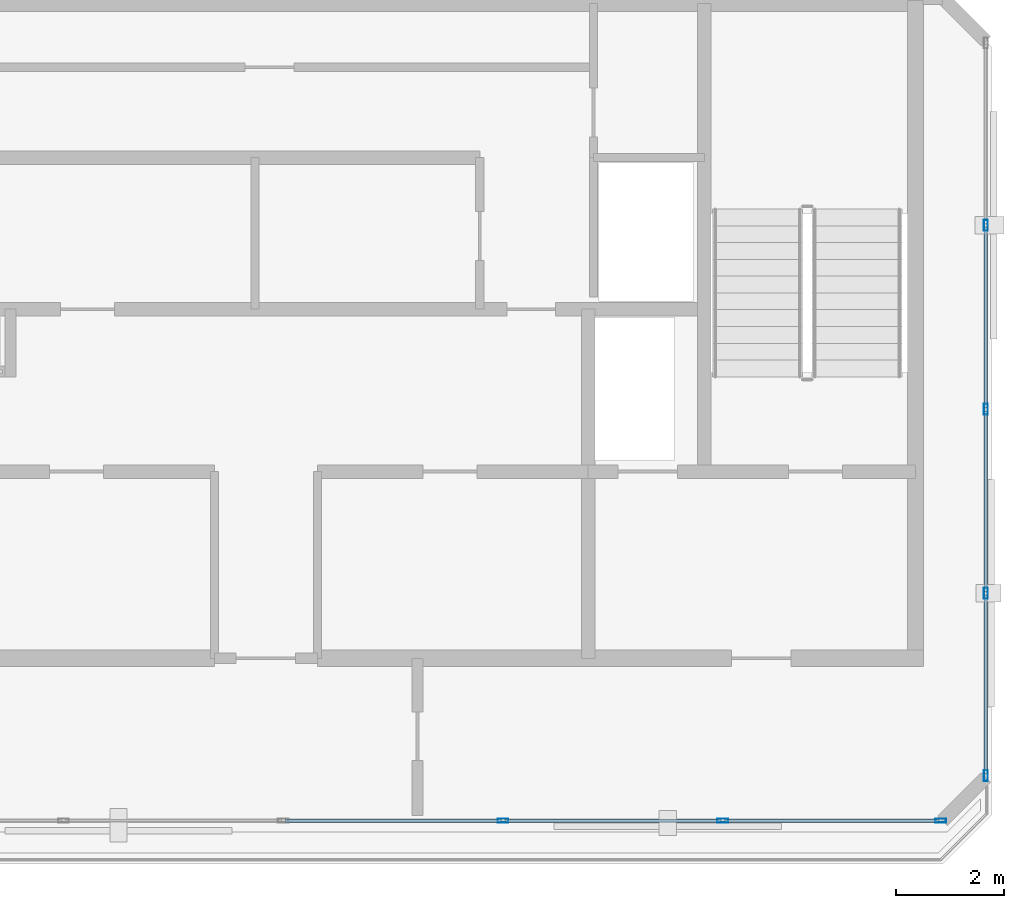
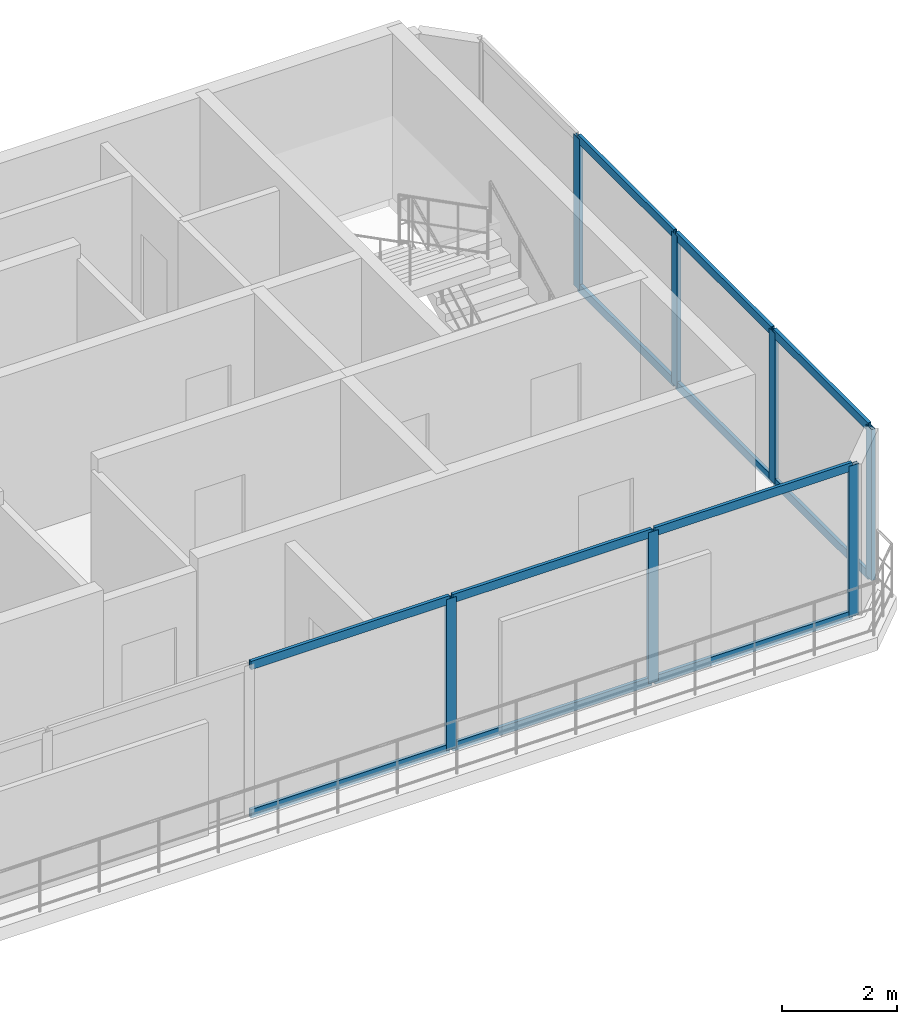
# One storey, part 3 of 7: 19 members, 2 elements without a shape of their own.
"""IFC4 building model written with IfcOpenShell, lengths in metres."""

from ifc_helpers import new_model, si_unit, direction, frame, origin, origin_2d, place, context, subcontext, project, spatial, hollow_rectangle, extrude, material, layer, layer_set, material_profile, profile_set, type_object, element, aggregate, save


model = new_model("IFC4")

# Units and contexts
model_context = context("Model", 3, precision=1e-05, world=origin(), true_north=direction((0.0, 1.0)))
body_context = subcontext(model_context, "Body", "Model", "MODEL_VIEW")
ifc_project = project(units=[si_unit("LENGTHUNIT", "METRE"), si_unit("AREAUNIT", "SQUARE_METRE"), si_unit("VOLUMEUNIT", "CUBIC_METRE"), si_unit("PLANEANGLEUNIT", "RADIAN"), si_unit("MASSUNIT", "GRAM", prefix="KILO")], contexts=[model_context])

# Site, building, storey
site_placement = place(None, origin())
site = spatial("IfcSite", under=ifc_project, at=site_placement, CompositionType="ELEMENT")
building_placement = place(site_placement, origin())
building = spatial("IfcBuilding", under=site, at=building_placement, Name="Catumbela Crestline Tower", CompositionType="ELEMENT")
storey_placement = place(building_placement, frame((0.0, 0.0, 311.5)))
storey = spatial("IfcBuildingStorey", under=building, at=storey_placement, Name="L80", CompositionType="ELEMENT", Elevation=311.5)

# Curtain wall, members
ifc_material = material(Name="Aluminium alloy AW-6060-T66", Category="aluminium")
ifc_layer = layer(ifc_material, 0.18, Name="Aluminium alloy AW-6060-T66")
ifc_layer_set = layer_set([ifc_layer], Name="Aluminium alloy AW-6060-T66")
curtain_wall_type = type_object("IfcCurtainWallType", Name="CWS-OBS", PredefinedType="USERDEFINED", material=ifc_layer_set)
curtain_wall_1_placement = place(storey_placement, origin())
curtain_wall_1 = element("IfcCurtainWall", 1, at=curtain_wall_1_placement, inside=storey, type_object=curtain_wall_type, Name="L80 Stick Curtain Wall CW-L80-E0S2", ObjectType="STICK", PredefinedType="USERDEFINED")
ifc_material_profile_1 = material_profile(ifc_material, hollow_rectangle(XDim=0.075, YDim=0.2, WallThickness=0.005, at=origin_2d()), Name="ALU 200x75x5")
ifc_profile_set_1 = profile_set([ifc_material_profile_1], Name="Aluminium alloy AW-6060-T66")
member_type_1 = type_object("IfcMemberType", Name="MUL-200X75", PredefinedType="MULLION", material=ifc_profile_set_1)
member_1_placement = place(storey_placement, frame((32.38, 27.8, 0.0), z_axis=(0.0, 0.0, 1.0), x_axis=(0.0, 1.0, 0.0)))
member_1 = element("IfcMember", 2, at=member_1_placement, type_object=member_type_1, Name="CWS-OBS mullion 4", PredefinedType="MULLION", context=body_context, shape_type="SweptSolid", body=[
    extrude(hollow_rectangle(XDim=0.075, YDim=0.2, WallThickness=0.005, at=origin_2d()), origin(), (0.0, 0.0, 1.0), 3.21),
])
member_2_placement = place(storey_placement, frame((36.44, 27.8, 0.0), z_axis=(0.0, 0.0, 1.0), x_axis=(0.0, 1.0, 0.0)))
member_2 = element("IfcMember", 3, at=member_2_placement, type_object=member_type_1, Name="CWS-OBS mullion 5", PredefinedType="MULLION", context=body_context, shape_type="SweptSolid", body=[
    extrude(hollow_rectangle(XDim=0.075, YDim=0.2, WallThickness=0.005, at=origin_2d()), origin(), (0.0, 0.0, 1.0), 3.21),
])
member_3_placement = place(storey_placement, frame((40.4675, 27.8, 0.0), z_axis=(0.0, 0.0, 1.0), x_axis=(0.0, 1.0, 0.0)))
member_3 = element("IfcMember", 4, at=member_3_placement, type_object=member_type_1, Name="CWS-OBS mullion 6", PredefinedType="MULLION", context=body_context, shape_type="SweptSolid", body=[
    extrude(hollow_rectangle(XDim=0.075, YDim=0.2, WallThickness=0.005, at=origin_2d()), origin(), (0.0, 0.0, 1.0), 3.21),
])

curtain_wall_2_placement = place(storey_placement, origin())
curtain_wall_2 = element("IfcCurtainWall", 5, at=curtain_wall_2_placement, inside=storey, type_object=curtain_wall_type, Name="L80 Stick Curtain Wall CW-L80-E2S1", ObjectType="STICK", PredefinedType="USERDEFINED")
member_4_placement = place(storey_placement, frame((41.3, 28.6325, 0.0), z_axis=(0.0, 0.0, 1.0), x_axis=(-1.0, 0.0, 0.0)))
member_4 = element("IfcMember", 6, at=member_4_placement, type_object=member_type_1, Name="CWS-OBS mullion 1", PredefinedType="MULLION", context=body_context, shape_type="SweptSolid", body=[
    extrude(hollow_rectangle(XDim=0.075, YDim=0.2, WallThickness=0.005, at=origin_2d()), origin(), (0.0, 0.0, 1.0), 3.21),
])
member_5_placement = place(storey_placement, frame((41.3, 32.0, 0.0), z_axis=(0.0, 0.0, 1.0), x_axis=(-1.0, 0.0, 0.0)))
member_5 = element("IfcMember", 7, at=member_5_placement, type_object=member_type_1, Name="CWS-OBS mullion 2", PredefinedType="MULLION", context=body_context, shape_type="SweptSolid", body=[
    extrude(hollow_rectangle(XDim=0.075, YDim=0.2, WallThickness=0.005, at=origin_2d()), origin(), (0.0, 0.0, 1.0), 3.21),
])
member_6_placement = place(storey_placement, frame((41.3, 35.4, 0.0), z_axis=(0.0, 0.0, 1.0), x_axis=(-1.0, 0.0, 0.0)))
member_6 = element("IfcMember", 8, at=member_6_placement, type_object=member_type_1, Name="CWS-OBS mullion 3", PredefinedType="MULLION", context=body_context, shape_type="SweptSolid", body=[
    extrude(hollow_rectangle(XDim=0.075, YDim=0.2, WallThickness=0.005, at=origin_2d()), origin(), (0.0, 0.0, 1.0), 3.21),
])
member_7_placement = place(storey_placement, frame((41.3, 38.8, 0.0), z_axis=(0.0, 0.0, 1.0), x_axis=(-1.0, 0.0, 0.0)))
member_7 = element("IfcMember", 9, at=member_7_placement, type_object=member_type_1, Name="CWS-OBS mullion 4", PredefinedType="MULLION", context=body_context, shape_type="SweptSolid", body=[
    extrude(hollow_rectangle(XDim=0.075, YDim=0.2, WallThickness=0.005, at=origin_2d()), origin(), (0.0, 0.0, 1.0), 3.21),
])

# Member
ifc_material_profile_2 = material_profile(ifc_material, hollow_rectangle(XDim=0.065, YDim=0.18, WallThickness=0.004, at=origin_2d()), Name="ALU 180x65x4")
ifc_profile_set_2 = profile_set([ifc_material_profile_2], Name="Aluminium alloy AW-6060-T66")
member_type_2 = type_object("IfcMemberType", Name="TRN-180X65", PredefinedType="USERDEFINED", material=ifc_profile_set_2)
member_8_placement = place(storey_placement, frame((28.3525, 27.8, 0.03), z_axis=(1.0, 0.0, 0.0), x_axis=(0.0, 1.0, 0.0)))
member_8 = element("IfcMember", 10, at=member_8_placement, type_object=member_type_2, Name="CWS-OBS transom 3.1", ObjectType="TRANSOM", PredefinedType="USERDEFINED", context=body_context, shape_type="SweptSolid", body=[
    extrude(hollow_rectangle(XDim=0.065, YDim=0.18, WallThickness=0.004, at=origin_2d()), origin(), (0.0, 0.0, 1.0), 3.995),
])

member_9_placement = place(storey_placement, frame((28.3525, 27.8, 3.18), z_axis=(1.0, 0.0, 0.0), x_axis=(0.0, 1.0, 0.0)))
member_9 = element("IfcMember", 11, at=member_9_placement, type_object=member_type_2, Name="CWS-OBS transom 3.2", ObjectType="TRANSOM", PredefinedType="USERDEFINED", context=body_context, shape_type="SweptSolid", body=[
    extrude(hollow_rectangle(XDim=0.065, YDim=0.18, WallThickness=0.004, at=origin_2d()), origin(), (0.0, 0.0, 1.0), 3.995),
])

member_10_placement = place(storey_placement, frame((32.4125, 27.8, 0.03), z_axis=(1.0, 0.0, 0.0), x_axis=(0.0, 1.0, 0.0)))
member_10 = element("IfcMember", 12, at=member_10_placement, type_object=member_type_2, Name="CWS-OBS transom 4.1", ObjectType="TRANSOM", PredefinedType="USERDEFINED", context=body_context, shape_type="SweptSolid", body=[
    extrude(hollow_rectangle(XDim=0.065, YDim=0.18, WallThickness=0.004, at=origin_2d()), origin(), (0.0, 0.0, 1.0), 3.995),
])

member_11_placement = place(storey_placement, frame((32.4125, 27.8, 3.18), z_axis=(1.0, 0.0, 0.0), x_axis=(0.0, 1.0, 0.0)))
member_11 = element("IfcMember", 13, at=member_11_placement, type_object=member_type_2, Name="CWS-OBS transom 4.2", ObjectType="TRANSOM", PredefinedType="USERDEFINED", context=body_context, shape_type="SweptSolid", body=[
    extrude(hollow_rectangle(XDim=0.065, YDim=0.18, WallThickness=0.004, at=origin_2d()), origin(), (0.0, 0.0, 1.0), 3.995),
])

member_12_placement = place(storey_placement, frame((36.4725, 27.8, 0.03), z_axis=(1.0, 0.0, 0.0), x_axis=(0.0, 1.0, 0.0)))
member_12 = element("IfcMember", 14, at=member_12_placement, type_object=member_type_2, Name="CWS-OBS transom 5.1", ObjectType="TRANSOM", PredefinedType="USERDEFINED", context=body_context, shape_type="SweptSolid", body=[
    extrude(hollow_rectangle(XDim=0.065, YDim=0.18, WallThickness=0.004, at=origin_2d()), origin(), (0.0, 0.0, 1.0), 3.9625),
])

member_13_placement = place(storey_placement, frame((36.4725, 27.8, 3.18), z_axis=(1.0, 0.0, 0.0), x_axis=(0.0, 1.0, 0.0)))
member_13 = element("IfcMember", 15, at=member_13_placement, type_object=member_type_2, Name="CWS-OBS transom 5.2", ObjectType="TRANSOM", PredefinedType="USERDEFINED", context=body_context, shape_type="SweptSolid", body=[
    extrude(hollow_rectangle(XDim=0.065, YDim=0.18, WallThickness=0.004, at=origin_2d()), origin(), (0.0, 0.0, 1.0), 3.9625),
])

aggregate(curtain_wall_1, [member_1, member_2, member_3, member_8, member_9, member_10, member_11, member_12, member_13])

member_14_placement = place(storey_placement, frame((41.3, 28.665, 0.03), z_axis=(0.0, 1.0, 0.0), x_axis=(-1.0, 0.0, 0.0)))
member_14 = element("IfcMember", 16, at=member_14_placement, type_object=member_type_2, Name="CWS-OBS transom 1.1", ObjectType="TRANSOM", PredefinedType="USERDEFINED", context=body_context, shape_type="SweptSolid", body=[
    extrude(hollow_rectangle(XDim=0.065, YDim=0.18, WallThickness=0.004, at=origin_2d()), origin(), (0.0, 0.0, 1.0), 3.3025),
])

member_15_placement = place(storey_placement, frame((41.3, 28.665, 3.18), z_axis=(0.0, 1.0, 0.0), x_axis=(-1.0, 0.0, 0.0)))
member_15 = element("IfcMember", 17, at=member_15_placement, type_object=member_type_2, Name="CWS-OBS transom 1.2", ObjectType="TRANSOM", PredefinedType="USERDEFINED", context=body_context, shape_type="SweptSolid", body=[
    extrude(hollow_rectangle(XDim=0.065, YDim=0.18, WallThickness=0.004, at=origin_2d()), origin(), (0.0, 0.0, 1.0), 3.3025),
])

member_16_placement = place(storey_placement, frame((41.3, 32.0325, 0.03), z_axis=(0.0, 1.0, 0.0), x_axis=(-1.0, 0.0, 0.0)))
member_16 = element("IfcMember", 18, at=member_16_placement, type_object=member_type_2, Name="CWS-OBS transom 2.1", ObjectType="TRANSOM", PredefinedType="USERDEFINED", context=body_context, shape_type="SweptSolid", body=[
    extrude(hollow_rectangle(XDim=0.065, YDim=0.18, WallThickness=0.004, at=origin_2d()), origin(), (0.0, 0.0, 1.0), 3.335),
])

member_17_placement = place(storey_placement, frame((41.3, 32.0325, 3.18), z_axis=(0.0, 1.0, 0.0), x_axis=(-1.0, 0.0, 0.0)))
member_17 = element("IfcMember", 19, at=member_17_placement, type_object=member_type_2, Name="CWS-OBS transom 2.2", ObjectType="TRANSOM", PredefinedType="USERDEFINED", context=body_context, shape_type="SweptSolid", body=[
    extrude(hollow_rectangle(XDim=0.065, YDim=0.18, WallThickness=0.004, at=origin_2d()), origin(), (0.0, 0.0, 1.0), 3.335),
])

member_18_placement = place(storey_placement, frame((41.3, 35.4325, 0.03), z_axis=(0.0, 1.0, 0.0), x_axis=(-1.0, 0.0, 0.0)))
member_18 = element("IfcMember", 20, at=member_18_placement, type_object=member_type_2, Name="CWS-OBS transom 3.1", ObjectType="TRANSOM", PredefinedType="USERDEFINED", context=body_context, shape_type="SweptSolid", body=[
    extrude(hollow_rectangle(XDim=0.065, YDim=0.18, WallThickness=0.004, at=origin_2d()), origin(), (0.0, 0.0, 1.0), 3.335),
])

member_19_placement = place(storey_placement, frame((41.3, 35.4325, 3.18), z_axis=(0.0, 1.0, 0.0), x_axis=(-1.0, 0.0, 0.0)))
member_19 = element("IfcMember", 21, at=member_19_placement, type_object=member_type_2, Name="CWS-OBS transom 3.2", ObjectType="TRANSOM", PredefinedType="USERDEFINED", context=body_context, shape_type="SweptSolid", body=[
    extrude(hollow_rectangle(XDim=0.065, YDim=0.18, WallThickness=0.004, at=origin_2d()), origin(), (0.0, 0.0, 1.0), 3.335),
])

aggregate(curtain_wall_2, [member_4, member_5, member_6, member_7, member_14, member_15, member_16, member_17, member_18, member_19])

save(model, "model.ifc")
